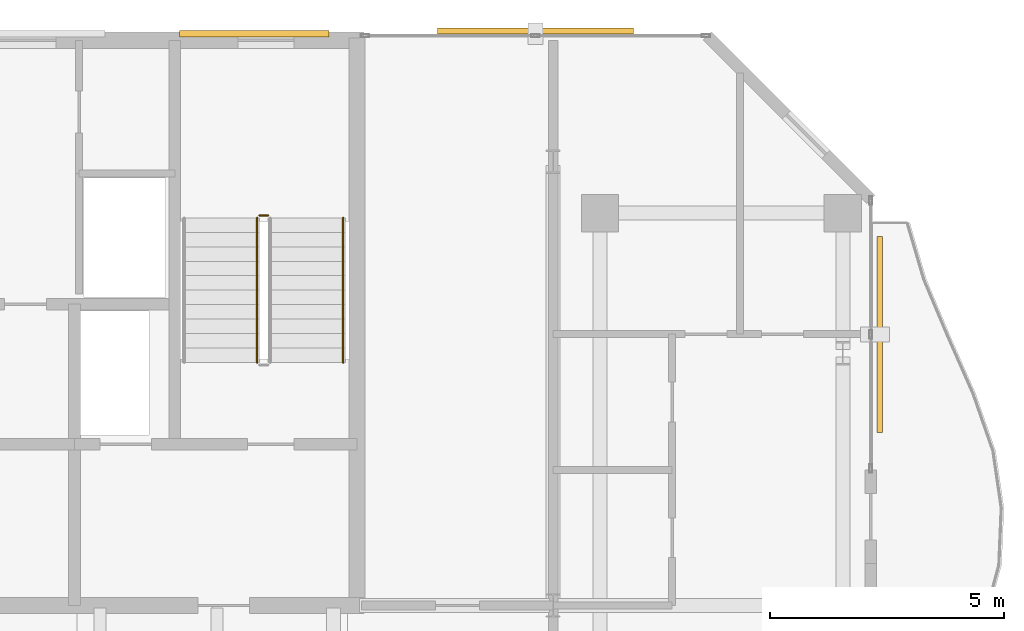
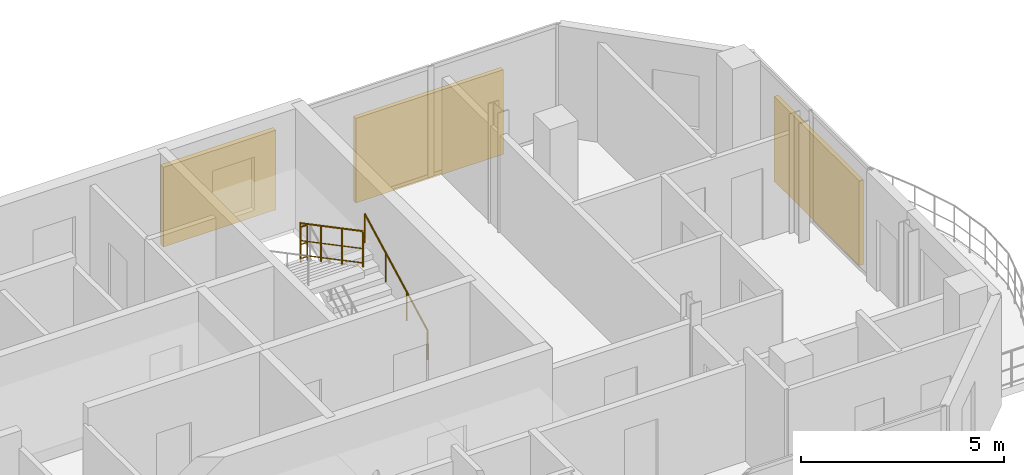
# One storey, part 23 of 23: 3 railings, 3 shading devices.
"""IFC4 building model written with IfcOpenShell, lengths in metres."""

from ifc_helpers import new_model, si_unit, direction, frame, origin, origin_2d, place, context, subcontext, project, spatial, rectangle, circle, extrude, material, type_object, element, save


model = new_model("IFC4")

# Units and contexts
model_context = context("Model", 3, precision=1e-05, world=origin(), true_north=direction((0.0, 1.0)))
body_context = subcontext(model_context, "Body", "Model", "MODEL_VIEW")
ifc_project = project(units=[si_unit("LENGTHUNIT", "METRE"), si_unit("AREAUNIT", "SQUARE_METRE"), si_unit("VOLUMEUNIT", "CUBIC_METRE"), si_unit("PLANEANGLEUNIT", "RADIAN"), si_unit("MASSUNIT", "GRAM", prefix="KILO")], contexts=[model_context])

# Site, building, storey
site_placement = place(None, origin())
site = spatial("IfcSite", under=ifc_project, at=site_placement, CompositionType="ELEMENT")
building_placement = place(site_placement, origin())
building = spatial("IfcBuilding", under=site, at=building_placement, Name="Catumbela Crestline Tower", CompositionType="ELEMENT")
storey_placement = place(building_placement, frame((0.0, 0.0, 183.0)))
storey = spatial("IfcBuildingStorey", under=building, at=storey_placement, Name="L47", CompositionType="ELEMENT", Elevation=183.0)

# Railings
ifc_material_1 = material(Name="Stainless steel EN 1.4401", Category="steel")
railing_type_1 = type_object("IfcRailingType", Name="RG-1100", PredefinedType="GUARDRAIL", material=ifc_material_1)
railing_1_placement = place(storey_placement, frame((38.09, 39.15, 1.8)))
element("IfcRailing", 1, at=railing_1_placement, inside=storey, type_object=railing_type_1, Name="L47 ST-02 stair guard 2", PredefinedType="GUARDRAIL", context=body_context, shape_type="SweptSolid", body=[
    extrude(circle(Radius=0.024, at=origin_2d()), frame((0.0, 0.0, 1.076), z_axis=(-1.0, 0.0, 0.0), x_axis=(0.0, -1.0, 0.0)), (0.0, 0.0, 1.0), 0.18),
    extrude(circle(Radius=0.0156, at=origin_2d()), frame((0.0, 0.0, 0.55), z_axis=(-1.0, 0.0, 0.0), x_axis=(0.0, -1.0, 0.0)), (0.0, 0.0, 1.0), 0.18),
    extrude(circle(Radius=0.0156, at=origin_2d()), frame((0.0, 0.0, 0.12), z_axis=(-1.0, 0.0, 0.0), x_axis=(0.0, -1.0, 0.0)), (0.0, 0.0, 1.0), 0.18),
    extrude(circle(Radius=0.021, at=origin_2d()), origin(), (0.0, 0.0, 1.0), 1.052),
    extrude(circle(Radius=0.021, at=origin_2d()), frame((-0.18, 0.0, 0.0)), (0.0, 0.0, 1.0), 1.052),
])
railing_2_placement = place(storey_placement, frame((37.86, 39.1, 1.9636)))
element("IfcRailing", 2, at=railing_2_placement, inside=storey, type_object=railing_type_1, Name="L47 ST-02 stair guard 3", PredefinedType="GUARDRAIL", context=body_context, shape_type="SweptSolid", body=[
    extrude(circle(Radius=0.024, at=origin_2d()), frame((0.0, 0.0, 1.076), z_axis=(0.0, -0.884350731049, 0.466823076222), x_axis=(1.0, 0.0, 0.0)), (0.0, 0.0, 1.0), 3.5054),
    extrude(circle(Radius=0.0156, at=origin_2d()), frame((0.0, 0.0, 0.55), z_axis=(0.0, -0.884350731049, 0.466823076222), x_axis=(1.0, 0.0, 0.0)), (0.0, 0.0, 1.0), 3.5054),
    extrude(circle(Radius=0.0156, at=origin_2d()), frame((0.0, 0.0, 0.12), z_axis=(0.0, -0.884350731049, 0.466823076222), x_axis=(1.0, 0.0, 0.0)), (0.0, 0.0, 1.0), 3.5054),
    extrude(circle(Radius=0.021, at=origin_2d()), origin(), (0.0, 0.0, 1.0), 1.052),
    extrude(circle(Radius=0.021, at=origin_2d()), frame((0.0, -1.0333, 0.5455)), (0.0, 0.0, 1.0), 1.052),
    extrude(circle(Radius=0.021, at=origin_2d()), frame((0.0, -2.0667, 1.0909)), (0.0, 0.0, 1.0), 1.052),
    extrude(circle(Radius=0.021, at=origin_2d()), frame((0.0, -3.1, 1.6364)), (0.0, 0.0, 1.0), 1.052),
])
railing_type_2 = type_object("IfcRailingType", Name="RH-0900", PredefinedType="HANDRAIL", material=ifc_material_1)
railing_3_placement = place(storey_placement, frame((39.7, 36.0, 0.1636)))
element("IfcRailing", 3, at=railing_3_placement, inside=storey, type_object=railing_type_2, Name="L47 ST-02 stair handrail 1", PredefinedType="HANDRAIL", context=body_context, shape_type="SweptSolid", body=[
    extrude(circle(Radius=0.024, at=origin_2d()), frame((0.0, 0.0, 0.876), z_axis=(0.0, 0.884350731049, 0.466823076222), x_axis=(-1.0, 0.0, 0.0)), (0.0, 0.0, 1.0), 3.5054),
    extrude(circle(Radius=0.021, at=origin_2d()), origin(), (0.0, 0.0, 1.0), 0.852),
    extrude(circle(Radius=0.021, at=origin_2d()), frame((0.0, 1.0333, 0.5455)), (0.0, 0.0, 1.0), 0.852),
    extrude(circle(Radius=0.021, at=origin_2d()), frame((0.0, 2.0667, 1.0909)), (0.0, 0.0, 1.0), 0.852),
    extrude(circle(Radius=0.021, at=origin_2d()), frame((0.0, 3.1, 1.6364)), (0.0, 0.0, 1.0), 0.852),
])

# Shading devices
ifc_material_2 = material(Name="Extruded terracotta ceramic", Category="masonry")
shading_device_type_1 = type_object("IfcShadingDeviceType", Name="ST-180", PredefinedType="USERDEFINED", material=ifc_material_2)
shading_device_1_placement = place(storey_placement, frame((43.82, 43.099, -0.1), z_axis=(0.0, 0.0, 1.0), x_axis=(-1.0, 0.0, 0.0)))
element("IfcShadingDevice", 4, at=shading_device_1_placement, inside=storey, type_object=shading_device_type_1, Name="L47 Perforated Terracotta Solar Screen 551 (180 mm)", ObjectType="SCREEN", PredefinedType="USERDEFINED", context=body_context, shape_type="SweptSolid", body=[
    extrude(rectangle(XDim=4.2, YDim=0.12, at=origin_2d()), origin(), (0.0, 0.0, 1.0), 2.55),
])
shading_device_type_2 = type_object("IfcShadingDeviceType", Name="ST-260", PredefinedType="USERDEFINED", material=ifc_material_2)
shading_device_2_placement = place(storey_placement, frame((37.8, 43.04, 0.55), z_axis=(0.0, 0.0, 1.0), x_axis=(1.0, 0.0, 0.0)))
element("IfcShadingDevice", 5, at=shading_device_2_placement, inside=storey, type_object=shading_device_type_2, Name="L47 Rear Core Terracotta Brise-Soleil Screen 543", ObjectType="SCREEN", PredefinedType="USERDEFINED", context=body_context, shape_type="SweptSolid", body=[
    extrude(rectangle(XDim=3.2, YDim=0.14, at=origin_2d()), origin(), (0.0, 0.0, 1.0), 2.4),
])
shading_device_type_3 = type_object("IfcShadingDeviceType", Name="ST-340", PredefinedType="USERDEFINED", material=ifc_material_2)
shading_device_3_placement = place(storey_placement, frame((51.187, 36.6, -0.1), z_axis=(0.0, 0.0, 1.0), x_axis=(0.0, 1.0, 0.0)))
element("IfcShadingDevice", 6, at=shading_device_3_placement, inside=storey, type_object=shading_device_type_3, Name="L47 Perforated Terracotta Solar Screen 550 (340 mm)", ObjectType="SCREEN", PredefinedType="USERDEFINED", context=body_context, shape_type="SweptSolid", body=[
    extrude(rectangle(XDim=4.2, YDim=0.12, at=origin_2d()), origin(), (0.0, 0.0, 1.0), 2.55),
])

save(model, "model.ifc")
